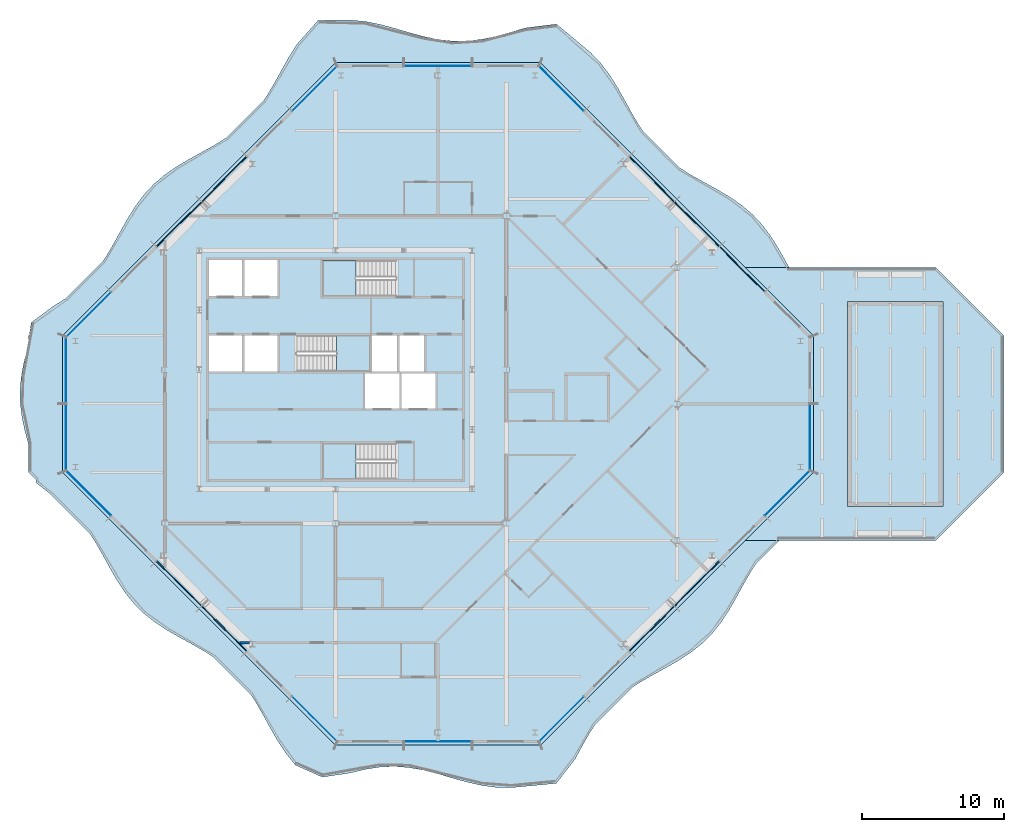
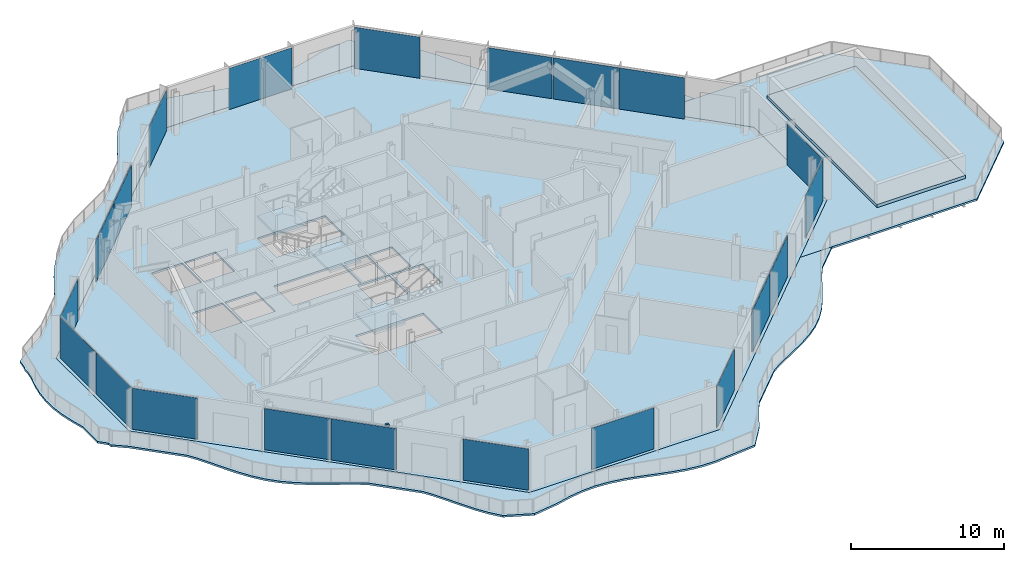
# One storey, part 6 of 16: 21 plates, 7 slabs, 1 wall, 11 elements without a shape of their own.
"""IFC4 building model written with IfcOpenShell, lengths in metres."""

import ifcopenshell
import ifcopenshell.guid

model = None  # the IFC model being written
_history = None  # IfcOwnerHistory: only IFC2X3 demands one
_inside = {}  # id of a spatial element -> (the spatial element, [elements in it])
_under = {}  # id of a project, library or spatial element -> (it, [spatial elements below it])
_declared = {}  # id of a project -> (the project, [libraries it declares])
_typed = {}  # id of a type object -> (the type object, [elements of that type])
_made_of = {}  # id of a material, layer set ... -> (it, [elements and type objects made of it])


def new_model(schema):
    """Start an empty IFC model of exactly this schema.

    Asked for "IFC4X3", IfcOpenShell would pick the latest addendum, in which some entities
    have other attributes; the version numbers below select the first issue.
    IFC2X3 requires an IfcOwnerHistory on every rooted entity: one is made here for all.
    """
    global model, _history
    if schema == "IFC4X3":
        model = ifcopenshell.file(schema_version=(4, 3, 0, 0))
    else:
        model = ifcopenshell.file(schema=schema)
    _inside.clear()
    _under.clear()
    _declared.clear()
    _typed.clear()
    _made_of.clear()
    _history = None
    if model.schema == "IFC2X3":
        org = make("IfcOrganization", Name="unknown")
        user = make(
            "IfcPersonAndOrganization",
            ThePerson=make("IfcPerson", FamilyName="unknown"),
            TheOrganization=org,
        )
        app = make(
            "IfcApplication",
            ApplicationDeveloper=org,
            Version="unknown",
            ApplicationFullName="unknown",
            ApplicationIdentifier="unknown",
        )
        _history = make(
            "IfcOwnerHistory",
            OwningUser=user,
            OwningApplication=app,
            ChangeAction="ADDED",
            CreationDate=0,
        )
    return model


def make(cls, **values):
    """One entity of the class cls with the attributes given. An attribute that is None is left unset."""
    return model.create_entity(
        cls, **{name: value for name, value in values.items() if value is not None}
    )


def rooted(cls, **values):
    """An entity with a GlobalId (a new one), such as an element, a storey or a relation."""
    return make(cls, GlobalId=ifcopenshell.guid.new(), OwnerHistory=_history, **values)


def si_unit(unit_type, name, prefix=None):
    """IfcSIUnit, for example si_unit("LENGTHUNIT", "METRE", prefix="MILLI")."""
    return make("IfcSIUnit", UnitType=unit_type, Prefix=prefix, Name=name)


def assignment(units):
    """IfcUnitAssignment: the units of a project."""
    return None if units is None else make("IfcUnitAssignment", Units=units)


def point(xyz):
    """IfcCartesianPoint."""
    return None if xyz is None else make("IfcCartesianPoint", Coordinates=xyz)


def direction(xyz):
    """IfcDirection."""
    return None if xyz is None else make("IfcDirection", DirectionRatios=xyz)


def frame(location, z_axis=None, x_axis=None):
    """IfcAxis2Placement3D, a coordinate frame: its origin and axes. An axis left out is left unset."""
    return make(
        "IfcAxis2Placement3D",
        Location=point(location),
        Axis=direction(z_axis),
        RefDirection=direction(x_axis),
    )


def frame_2d(location, x_axis=None):
    """IfcAxis2Placement2D, a coordinate frame in the plane: its origin and x axis."""
    return make(
        "IfcAxis2Placement2D", Location=point(location), RefDirection=direction(x_axis)
    )


def origin():
    """The frame at (0, 0, 0) with its axes left unset."""
    return frame((0.0, 0.0, 0.0))


def origin_2d():
    """The frame at (0, 0) in the plane with its x axis left unset."""
    return frame_2d((0.0, 0.0))


def place(relative_to, where):
    """IfcLocalPlacement: puts the frame where relative to a parent placement (None: the world)."""
    return make(
        "IfcLocalPlacement", PlacementRelTo=relative_to, RelativePlacement=where
    )


def context(
    kind, dimensions, precision=None, world=None, true_north=None, identifier=None
):
    """IfcGeometricRepresentationContext, for example the 3D "Model" context."""
    return make(
        "IfcGeometricRepresentationContext",
        ContextIdentifier=identifier,
        ContextType=kind,
        CoordinateSpaceDimension=dimensions,
        Precision=precision,
        WorldCoordinateSystem=world,
        TrueNorth=true_north,
    )


def subcontext(parent, identifier, kind, view, scale=None):
    """IfcGeometricRepresentationSubContext, for example "Body" below "Model"."""
    return make(
        "IfcGeometricRepresentationSubContext",
        ContextIdentifier=identifier,
        ContextType=kind,
        ParentContext=parent,
        TargetScale=scale,
        TargetView=view,
    )


def project(units=None, contexts=None):
    """IfcProject with its units and contexts."""
    return rooted(
        "IfcProject",
        Name="project",
        RepresentationContexts=contexts,
        UnitsInContext=assignment(units),
    )


def spatial(cls, under=None, at=None, **own):
    """A site, building, storey or space (cls), placed at a placement, below another one or the project."""
    s = rooted(cls, ObjectPlacement=at, **own)
    if under is not None:
        _under.setdefault(under.id(), (under, []))[1].append(s)
    return s


def polyline(points):
    """IfcPolyline through the points."""
    return make("IfcPolyline", Points=[point(p) for p in points])


def profile(cls, at=None, kind="AREA", **sizes):
    """A parametric profile (cls). Its sizes go by their IFC names, for example OverallWidth=200.0."""
    return make(cls, ProfileType=kind, Position=at, **sizes)


def rectangle(**sizes):
    """IfcRectangleProfileDef."""
    return profile("IfcRectangleProfileDef", **sizes)


def outline(outer, holes=None, kind="AREA"):
    """IfcArbitraryClosedProfileDef: a profile drawn as a closed curve; with holes, ...WithVoids."""
    if holes is None:
        return make("IfcArbitraryClosedProfileDef", ProfileType=kind, OuterCurve=outer)
    return make(
        "IfcArbitraryProfileDefWithVoids",
        ProfileType=kind,
        OuterCurve=outer,
        InnerCurves=holes,
    )


def extrude(swept, where, along, depth):
    """IfcExtrudedAreaSolid: the profile swept, set in the frame where, extruded along a direction by depth."""
    return make(
        "IfcExtrudedAreaSolid",
        SweptArea=swept,
        Position=where,
        ExtrudedDirection=direction(along),
        Depth=depth,
    )


def shape(context_of_items, identifier, shape_type, items):
    """IfcShapeRepresentation: the items that make up one representation, for example the "Body"."""
    return make(
        "IfcShapeRepresentation",
        ContextOfItems=context_of_items,
        RepresentationIdentifier=identifier,
        RepresentationType=shape_type,
        Items=items,
    )


def material(Name=None, Category=None):
    """IfcMaterial."""
    return make("IfcMaterial", Name=Name, Category=Category)


def layer(
    of_material, thickness, ventilated=None, Name=None, Category=None, Priority=None
):
    """IfcMaterialLayer: one layer of a wall or slab, of a material (None: an air gap)."""
    return make(
        "IfcMaterialLayer",
        Material=of_material,
        LayerThickness=thickness,
        IsVentilated=ventilated,
        Name=Name,
        Category=Category,
        Priority=Priority,
    )


def layer_set(layers, Name=None):
    """IfcMaterialLayerSet."""
    return make("IfcMaterialLayerSet", MaterialLayers=layers, LayerSetName=Name)


def made_of(thing, what):
    """Note that an element or type object is made of a material, layer set ...; save() writes the relation."""
    if what is not None:
        _made_of.setdefault(what.id(), (what, []))[1].append(thing)
    return thing


def type_object(cls, material=None, **own):
    """A type object (cls), such as IfcWallType, which elements share."""
    return made_of(rooted(cls, **own), material)


def element(
    cls,
    number,
    at=None,
    inside=None,
    cuts=None,
    type_object=None,
    material=None,
    context=None,
    identifier="Body",
    shape_type=None,
    held_by="IfcProductDefinitionShape",
    body=None,
    shapes=None,
    **own,
):
    """One element of the class cls, such as IfcWall. Its Tag is "e" and its number.

    at: its placement. inside: the storey or other place that contains it. cuts: it is an
    opening in that element (IfcRelVoidsElement). A single representation is given by context,
    identifier, shape_type and body (its items); several are given by shapes. held_by: the class
    of the entity that holds the representations. save() writes the other relations.
    """
    e = rooted(cls, Tag="e%d" % number, ObjectPlacement=at, **own)
    if body is not None:
        shapes = [shape(context, identifier, shape_type, body)]
    if shapes is not None:
        e.Representation = make(held_by, Representations=shapes)
    if inside is not None:
        _inside.setdefault(inside.id(), (inside, []))[1].append(e)
    if cuts is not None:
        rooted(
            "IfcRelVoidsElement", RelatingBuildingElement=cuts, RelatedOpeningElement=e
        )
    if type_object is not None:
        _typed.setdefault(type_object.id(), (type_object, []))[1].append(e)
    return made_of(e, material)


def aggregate(whole, parts):
    """IfcRelAggregates: a whole, such as a stair, and the parts it consists of."""
    return rooted("IfcRelAggregates", RelatingObject=whole, RelatedObjects=parts)


def save(model, path):
    """Write the relations noted so far, then the file.

    IfcRelAggregates (storeys below a building ...), IfcRelContainedInSpatialStructure (elements
    in a storey), IfcRelDefinesByType, IfcRelAssociatesMaterial and IfcRelDeclares: one each for
    every whole, place, type object, material and project.
    """
    for whole, parts in _under.values():
        aggregate(whole, parts)
    for where, things in _inside.values():
        rooted(
            "IfcRelContainedInSpatialStructure",
            RelatedElements=things,
            RelatingStructure=where,
        )
    for kind, things in _typed.values():
        rooted("IfcRelDefinesByType", RelatedObjects=things, RelatingType=kind)
    for what, things in _made_of.values():
        rooted("IfcRelAssociatesMaterial", RelatedObjects=things, RelatingMaterial=what)
    for by, libraries in _declared.values():
        rooted("IfcRelDeclares", RelatingContext=by, RelatedDefinitions=libraries)
    model.write(path)


model = new_model("IFC4")

# Units and contexts
model_context = context("Model", 3, precision=1e-05, world=origin(), true_north=direction((0.0, 1.0)))
body_context = subcontext(model_context, "Body", "Model", "MODEL_VIEW")
ifc_project = project(units=[si_unit("LENGTHUNIT", "METRE"), si_unit("AREAUNIT", "SQUARE_METRE"), si_unit("VOLUMEUNIT", "CUBIC_METRE"), si_unit("PLANEANGLEUNIT", "RADIAN"), si_unit("MASSUNIT", "GRAM", prefix="KILO")], contexts=[model_context])

# Site, building, storey
site_placement = place(None, origin())
site = spatial("IfcSite", under=ifc_project, at=site_placement, CompositionType="ELEMENT")
building_placement = place(site_placement, origin())
building = spatial("IfcBuilding", under=site, at=building_placement, Name="Cairn Pilgrim Tower", CompositionType="ELEMENT")
storey_placement = place(building_placement, frame((0.0, 0.0, 267.0)))
storey = spatial("IfcBuildingStorey", under=building, at=storey_placement, Name="L68", CompositionType="ELEMENT", Elevation=267.0)

# Slabs
ifc_material_1 = material(Name="Concrete C35/45", Category="concrete")
ifc_layer_1 = layer(ifc_material_1, 0.14990234375)
ifc_layer_set_1 = layer_set([ifc_layer_1], Name="BALCONY SLAB 150 CONCRETE C35/45")
slab_type_1 = type_object("IfcSlabType", Name="BALCONY SLAB 150 CONCRETE C35/45", PredefinedType="FLOOR", material=ifc_layer_set_1)
slab_1_placement = place(storey_placement, frame((0.0, 0.0, -0.14990234375)))
element("IfcSlab", 1, at=slab_1_placement, inside=storey, type_object=slab_type_1, Name="Balcony slab BS-1", PredefinedType="FLOOR", context=body_context, shape_type="SweptSolid", body=[
    extrude(outline(polyline([(24.52783203125, -24.08349609375), (25.044189453125, -23.177490234375), (25.453125, -22.546875), (28.058837890625, -19.941162109375), (28.575927734375, -19.59814453125), (29.4775390625, -19.07763671875), (30.396728515625, -18.574462890625), (31.30126953125, -18.056884765625), (32.16162109375, -17.494873046875), (32.95458984375, -16.865478515625), (33.66748046875, -16.156494140625), (34.30029296875, -15.366943359375), (34.864990234375, -14.509521484375), (35.384033203125, -13.6064453125), (35.88720703125, -12.68701171875), (36.40625, -11.783935546875), (36.772216796875, -11.227783203125), (38.39990234375, -9.60009765625), (36.0, -9.60009765625), (40.800048828125, -4.800048828125), (21.60009765625, -24.0), (7.199951171875, -24.0), (-12.0, -4.800048828125), (-12.0, 4.800048828125), (7.199951171875, 24.0), (21.60009765625, 24.0), (40.800048828125, 4.800048828125), (36.0, 9.60009765625), (39.08447265625, 9.60009765625), (38.873046875, 9.984375), (38.362548828125, 10.89599609375), (37.8154296875, 11.77099609375), (37.206298828125, 12.584228515625), (36.51953125, 13.319580078125), (35.75146484375, 13.9736328125), (34.910888671875, 14.55517578125), (34.017333984375, 15.083984375), (33.099365234375, 15.58837890625), (32.188720703125, 16.099853515625), (31.40966796875, 16.59033203125), (28.790771484375, 19.209228515625), (28.545166015625, 19.5673828125), (28.01806640625, 20.46240234375), (27.51416015625, 21.380859375), (27.00146484375, 22.29052734375), (26.44970703125, 23.160888671875), (25.833984375, 23.967529296875), (25.139892578125, 24.695556640625), (24.36474609375, 25.342529296875), (22.7236328125, 26.712890625), (20.571533203125, 26.44384765625), (19.54296875, 26.1435546875), (18.514404296875, 25.8603515625), (17.485595703125, 25.639892578125), (16.45703125, 25.517578125), (15.428466796875, 25.51318359375), (14.39990234375, 25.62744140625), (13.371337890625, 25.841796875), (12.3427734375, 26.121826171875), (11.314208984375, 26.422607421875), (10.28564453125, 26.695556640625), (9.257080078125, 26.89697265625), (8.228515625, 26.993896484375), (5.96923828125, 26.971435546875), (4.48291015625, 25.294921875), (3.9306640625, 24.4248046875), (3.41796875, 23.515380859375), (2.914306640625, 22.596923828125), (2.38720703125, 21.70166015625), (2.138671875, 21.338623046875), (-0.479736328125, 18.720458984375), (-1.25439453125, 18.232177734375), (-2.1650390625, 17.720458984375), (-3.0830078125, 17.21630859375), (-3.9765625, 16.687744140625), (-4.817626953125, 16.1064453125), (-5.586181640625, 15.452880859375), (-6.2734375, 14.7177734375), (-6.8828125, 13.905029296875), (-7.430419921875, 13.0302734375), (-7.94091796875, 12.11865234375), (-8.445556640625, 11.201171875), (-8.97607421875, 10.309326171875), (-9.172119140625, 10.02783203125), (-11.802734375, 7.3974609375), (-12.64892578125, 6.871337890625), (-14.20849609375, 5.71484375), (-14.334716796875, 4.865478515625), (-14.39990234375, 4.800048828125), (-14.39990234375, 4.425537109375), (-14.487060546875, 3.840087890625), (-14.732177734375, 2.8798828125), (-14.909912109375, 1.919921875), (-14.994873046875, 0.9599609375), (-14.97509765625, 0.0), (-14.853515625, -0.9599609375), (-14.647216796875, -1.919921875), (-14.39990234375, -2.825439453125), (-14.39990234375, -4.800048828125), (-13.88037109375, -5.319580078125), (-13.843505859375, -5.563720703125), (-12.87255859375, -6.327392578125), (-10.10205078125, -9.097900390625), (-9.738525390625, -9.649658203125), (-9.219482421875, -10.552734375), (-8.71630859375, -11.471923828125), (-8.197509765625, -12.375244140625), (-7.633056640625, -13.233154296875), (-7.000732421875, -14.02294921875), (-6.2880859375, -14.732421875), (-5.49560546875, -15.362060546875), (-4.635498046875, -15.924560546875), (-3.731201171875, -16.442138671875), (-2.81201171875, -16.9453125), (-1.91015625, -17.465576171875), (-1.388671875, -17.8115234375), (1.217041015625, -20.4169921875), (1.623291015625, -21.043212890625), (2.139892578125, -21.948974609375), (2.64306640625, -22.8681640625), (3.164794921875, -23.7685546875), (3.734619140625, -24.62109375), (4.3740234375, -25.40380859375), (6.26806640625, -26.25), (8.228515625, -25.955322265625), (9.257080078125, -25.7080078125), (10.28564453125, -25.5478515625), (11.314208984375, -25.500732421875), (12.3427734375, -25.57421875), (13.371337890625, -25.756591796875), (14.39990234375, -26.018310546875), (15.428466796875, -26.317138671875), (16.45703125, -26.60546875), (17.485595703125, -26.83642578125), (18.514404296875, -26.972900390625), (19.54296875, -26.9931640625), (20.571533203125, -26.893798828125), (22.714599609375, -26.69091796875), (24.024658203125, -25.00244140625), (24.52783203125, -24.08349609375)])), origin(), (0.0, 0.0, 1.0), 0.14990234375),
])
ifc_layer_2 = layer(ifc_material_1, 0.14990234375)
ifc_layer_set_2 = layer_set([ifc_layer_2], Name="COMPOSITE FLOOR SLAB 150")
slab_type_2 = type_object("IfcSlabType", Name="COMPOSITE FLOOR SLAB 150", PredefinedType="FLOOR", material=ifc_layer_set_2)
slab_2_placement = place(storey_placement, frame((0.0, 0.0, -0.14990234375)))
element("IfcSlab", 2, at=slab_2_placement, inside=storey, type_object=slab_type_2, Name="FLOOR SLAB L68", PredefinedType="FLOOR", context=body_context, shape_type="SweptSolid", body=[
    extrude(outline(polyline([(7.199951171875, -24.0), (21.60009765625, -24.0), (40.800048828125, -4.800048828125), (40.800048828125, 4.800048828125), (21.60009765625, 24.0), (7.199951171875, 24.0), (-12.0, 4.800048828125), (-12.0, -4.800048828125), (7.199951171875, -24.0)]), holes=[polyline([(9.27490234375, -0.324951171875), (11.675048828125, -0.324951171875), (11.675048828125, 2.125), (9.27490234375, 2.125), (9.27490234375, -0.324951171875)]), polyline([(11.824951171875, -0.324951171875), (14.22509765625, -0.324951171875), (14.22509765625, 2.125), (11.824951171875, 2.125), (11.824951171875, -0.324951171875)]), polyline([(-1.72509765625, 2.27490234375), (0.625, 2.27490234375), (0.625, 4.824951171875), (-1.72509765625, 4.824951171875), (-1.72509765625, 2.27490234375)]), polyline([(0.77490234375, 2.27490234375), (3.125, 2.27490234375), (3.125, 4.824951171875), (0.77490234375, 4.824951171875), (0.77490234375, 2.27490234375)]), polyline([(-1.72509765625, 7.574951171875), (0.625, 7.574951171875), (0.625, 10.10009765625), (-1.72509765625, 10.10009765625), (-1.72509765625, 7.574951171875)]), polyline([(0.77490234375, 7.574951171875), (3.125, 7.574951171875), (3.125, 10.10009765625), (0.77490234375, 10.10009765625), (0.77490234375, 7.574951171875)]), polyline([(9.77490234375, 2.27490234375), (11.52490234375, 2.27490234375), (11.52490234375, 4.824951171875), (9.77490234375, 4.824951171875), (9.77490234375, 2.27490234375)]), polyline([(11.675048828125, 2.27490234375), (13.425048828125, 2.27490234375), (13.425048828125, 4.824951171875), (11.675048828125, 4.824951171875), (11.675048828125, 2.27490234375)]), polyline([(11.424560546875, -2.77490234375), (6.27490234375, -2.77490234375), (6.27490234375, -5.300048828125), (11.424560546875, -5.300048828125), (11.424560546875, -2.77490234375)]), polyline([(4.4755859375, 2.27490234375), (9.625, 2.27490234375), (9.625, 4.824951171875), (4.4755859375, 4.824951171875), (4.4755859375, 2.27490234375)]), polyline([(11.424560546875, 10.10009765625), (6.27490234375, 10.10009765625), (6.27490234375, 7.574951171875), (11.424560546875, 7.574951171875), (11.424560546875, 10.10009765625)])]), origin(), (0.0, 0.0, 1.0), 0.14990234375),
])
ifc_layer_3 = layer(ifc_material_1, 0.25)
ifc_layer_set_3 = layer_set([ifc_layer_3], Name="SKY POOL BASE SLAB 250 CONCRETE C35/45")
slab_type_3 = type_object("IfcSlabType", Name="SKY POOL BASE SLAB 250 CONCRETE C35/45", PredefinedType="FLOOR", material=ifc_layer_set_3)
slab_3_placement = place(storey_placement, origin())
element("IfcSlab", 3, at=slab_3_placement, inside=storey, type_object=slab_type_3, Name="Sky pool base slab", PredefinedType="FLOOR", context=body_context, shape_type="SweptSolid", body=[
    extrude(outline(polyline([(43.199951171875, -7.199951171875), (49.89990234375, -7.199951171875), (49.89990234375, 7.199951171875), (43.199951171875, 7.199951171875), (43.199951171875, -7.199951171875)])), origin(), (0.0, 0.0, 1.0), 0.25),
])
ifc_layer_4 = layer(ifc_material_1, 0.14990234375)
ifc_layer_set_4 = layer_set([ifc_layer_4], Name="SKY POOL DECK SLAB 150 CONCRETE C35/45")
slab_type_4 = type_object("IfcSlabType", Name="SKY POOL DECK SLAB 150 CONCRETE C35/45", PredefinedType="FLOOR", material=ifc_layer_set_4)
slab_4_placement = place(storey_placement, frame((0.0, 0.0, -0.14990234375)))
element("IfcSlab", 4, at=slab_4_placement, inside=storey, type_object=slab_type_4, Name="Sky pool terrace deck", PredefinedType="FLOOR", context=body_context, shape_type="SweptSolid", body=[
    extrude(outline(polyline([(49.39990234375, 9.60009765625), (36.0, 9.60009765625), (40.800048828125, 4.800048828125), (40.800048828125, -4.800048828125), (36.0, -9.60009765625), (49.39990234375, -9.60009765625), (54.199951171875, -4.800048828125), (54.199951171875, 4.800048828125), (49.39990234375, 9.60009765625)])), origin(), (0.0, 0.0, 1.0), 0.14990234375),
])

# Curtain wall, plates
ifc_material_2 = material(Name="Aluminium alloy 6063-T6 bronze anodised with Bronze tinted laminated low-E glass 8+16+8.8", Category="aluminium")
curtain_wall_type = type_object("IfcCurtainWallType", Name="CROWN CURTAIN WALL", PredefinedType="NOTDEFINED", material=ifc_material_2)
curtain_wall_1_placement = place(storey_placement, origin())
curtain_wall_1 = element("IfcCurtainWall", 5, at=curtain_wall_1_placement, inside=storey, type_object=curtain_wall_type, Name="Crown Curtain Wall SE", PredefinedType="NOTDEFINED")
ifc_material_3 = material(Name="Bronze anodised aluminium spandrel panel with mineral wool insulation", Category="aluminium")
ifc_layer_5 = layer(ifc_material_3, 0.06005859375)
ifc_layer_set_5 = layer_set([ifc_layer_5], Name="SPANDREL PANEL 4431x3300")
plate_type_1 = type_object("IfcPlateType", Name="SPANDREL PANEL 4431x3300", PredefinedType="CURTAIN_PANEL", material=ifc_layer_set_5)
plate_1_placement = place(storey_placement, frame((29.435546875, -15.81103515625, 0.0), z_axis=(0.0, 0.0, 1.0), x_axis=(0.707106781187, 0.707106781187, 0.0)))
plate_1 = element("IfcPlate", 6, at=plate_1_placement, type_object=plate_type_1, Name="Spandrel Panel SE3-1", PredefinedType="CURTAIN_PANEL", context=body_context, shape_type="SweptSolid", body=[
    extrude(rectangle(XDim=4.430908203125, YDim=0.06005859375, at=origin_2d()), origin(), (0.0, 0.0, 1.0), 3.300048828125),
])
plate_2_placement = place(storey_placement, frame((32.611083984375, -12.635498046875, 0.0), z_axis=(0.0, 0.0, 1.0), x_axis=(0.707106781187, 0.707106781187, 0.0)))
plate_2 = element("IfcPlate", 7, at=plate_2_placement, type_object=plate_type_1, Name="Spandrel Panel SE4-1", PredefinedType="CURTAIN_PANEL", context=body_context, shape_type="SweptSolid", body=[
    extrude(rectangle(XDim=4.430908203125, YDim=0.06005859375, at=origin_2d()), origin(), (0.0, 0.0, 1.0), 3.300048828125),
])

curtain_wall_2_placement = place(storey_placement, origin())
curtain_wall_2 = element("IfcCurtainWall", 8, at=curtain_wall_2_placement, inside=storey, type_object=curtain_wall_type, Name="Crown Curtain Wall NE", PredefinedType="NOTDEFINED")
plate_3_placement = place(storey_placement, frame((35.78662109375, 9.459716796875, 0.0), z_axis=(0.0, 0.0, 1.0), x_axis=(-0.707106781187, 0.707106781187, 0.0)))
plate_3 = element("IfcPlate", 9, at=plate_3_placement, type_object=plate_type_1, Name="Spandrel Panel NE2-1", PredefinedType="CURTAIN_PANEL", context=body_context, shape_type="SweptSolid", body=[
    extrude(rectangle(XDim=4.430908203125, YDim=0.06005859375, at=origin_2d()), origin(), (0.0, 0.0, 1.0), 3.300048828125),
])
plate_4_placement = place(storey_placement, frame((32.611083984375, 12.635498046875, 0.0), z_axis=(0.0, 0.0, 1.0), x_axis=(-0.707106781187, 0.707106781187, 0.0)))
plate_4 = element("IfcPlate", 10, at=plate_4_placement, type_object=plate_type_1, Name="Spandrel Panel NE3-1", PredefinedType="CURTAIN_PANEL", context=body_context, shape_type="SweptSolid", body=[
    extrude(rectangle(XDim=4.430908203125, YDim=0.06005859375, at=origin_2d()), origin(), (0.0, 0.0, 1.0), 3.300048828125),
])
plate_5_placement = place(storey_placement, frame((29.435546875, 15.81103515625, 0.0), z_axis=(0.0, 0.0, 1.0), x_axis=(-0.707106781187, 0.707106781187, 0.0)))
plate_5 = element("IfcPlate", 11, at=plate_5_placement, type_object=plate_type_1, Name="Spandrel Panel NE4-1", PredefinedType="CURTAIN_PANEL", context=body_context, shape_type="SweptSolid", body=[
    extrude(rectangle(XDim=4.430908203125, YDim=0.06005859375, at=origin_2d()), origin(), (0.0, 0.0, 1.0), 3.300048828125),
])

curtain_wall_3_placement = place(storey_placement, origin())
curtain_wall_3 = element("IfcCurtainWall", 12, at=curtain_wall_3_placement, inside=storey, type_object=curtain_wall_type, Name="Crown Curtain Wall NW", PredefinedType="NOTDEFINED")
plate_6_placement = place(storey_placement, frame((-0.635498046875, 15.81103515625, 0.0), z_axis=(0.0, 0.0, 1.0), x_axis=(-0.707106781187, -0.707106781187, 0.0)))
plate_6 = element("IfcPlate", 13, at=plate_6_placement, type_object=plate_type_1, Name="Spandrel Panel NW3-1", PredefinedType="CURTAIN_PANEL", context=body_context, shape_type="SweptSolid", body=[
    extrude(rectangle(XDim=4.430908203125, YDim=0.06005859375, at=origin_2d()), origin(), (0.0, 0.0, 1.0), 3.300048828125),
])
plate_7_placement = place(storey_placement, frame((-3.81103515625, 12.635498046875, 0.0), z_axis=(0.0, 0.0, 1.0), x_axis=(-0.707106781187, -0.707106781187, 0.0)))
plate_7 = element("IfcPlate", 14, at=plate_7_placement, type_object=plate_type_1, Name="Spandrel Panel NW4-1", PredefinedType="CURTAIN_PANEL", context=body_context, shape_type="SweptSolid", body=[
    extrude(rectangle(XDim=4.430908203125, YDim=0.06005859375, at=origin_2d()), origin(), (0.0, 0.0, 1.0), 3.300048828125),
])

curtain_wall_4_placement = place(storey_placement, origin())
curtain_wall_4 = element("IfcCurtainWall", 15, at=curtain_wall_4_placement, inside=storey, type_object=curtain_wall_type, Name="Crown Curtain Wall SW", PredefinedType="NOTDEFINED")
plate_8_placement = place(storey_placement, frame((-3.81103515625, -12.635498046875, 0.0), z_axis=(0.0, 0.0, 1.0), x_axis=(0.707106781187, -0.707106781187, 0.0)))
plate_8 = element("IfcPlate", 16, at=plate_8_placement, type_object=plate_type_1, Name="Spandrel Panel SW3-1", PredefinedType="CURTAIN_PANEL", context=body_context, shape_type="SweptSolid", body=[
    extrude(rectangle(XDim=4.430908203125, YDim=0.06005859375, at=origin_2d()), origin(), (0.0, 0.0, 1.0), 3.300048828125),
])
plate_9_placement = place(storey_placement, frame((-0.635498046875, -15.81103515625, 0.0), z_axis=(0.0, 0.0, 1.0), x_axis=(0.707106781187, -0.707106781187, 0.0)))
plate_9 = element("IfcPlate", 17, at=plate_9_placement, type_object=plate_type_1, Name="Spandrel Panel SW4-1", PredefinedType="CURTAIN_PANEL", context=body_context, shape_type="SweptSolid", body=[
    extrude(rectangle(XDim=4.430908203125, YDim=0.06005859375, at=origin_2d()), origin(), (0.0, 0.0, 1.0), 3.300048828125),
])

# Stair, slab
ifc_material_4 = material(Name="Concrete C32/40", Category="concrete")
stair_type = type_object("IfcStairType", Name="EXIT STAIR 1200", PredefinedType="HALF_TURN_STAIR", material=ifc_material_4)
stair_1_placement = place(storey_placement, origin())
stair_1 = element("IfcStair", 18, at=stair_1_placement, inside=storey, type_object=stair_type, Name="L68 Exit Stair A", PredefinedType="HALF_TURN_STAIR")
ifc_layer_6 = layer(ifc_material_4, 0.199951171875)
ifc_layer_set_6 = layer_set([ifc_layer_6], Name="STAIR LANDING 200")
slab_type_5 = type_object("IfcSlabType", Name="STAIR LANDING 200", PredefinedType="LANDING", material=ifc_layer_set_6)
slab_5_placement = place(storey_placement, frame((0.0, 0.0, 1.60009765625)))
slab_5 = element("IfcSlab", 19, at=slab_5_placement, type_object=slab_type_5, Name="ST-A landing 1", PredefinedType="LANDING", context=body_context, shape_type="SweptSolid", body=[
    extrude(outline(polyline([(8.625, -2.77490234375), (6.27490234375, -2.77490234375), (6.27490234375, -5.300048828125), (8.625, -5.300048828125), (8.625, -2.77490234375)])), origin(), (0.0, 0.0, 1.0), 0.199951171875),
])
aggregate(stair_1, [slab_5])

stair_2_placement = place(storey_placement, origin())
stair_2 = element("IfcStair", 20, at=stair_2_placement, inside=storey, type_object=stair_type, Name="L68 Exit Stair B", PredefinedType="HALF_TURN_STAIR")
slab_6_placement = place(storey_placement, frame((0.0, 0.0, 1.60009765625)))
slab_6 = element("IfcSlab", 21, at=slab_6_placement, type_object=slab_type_5, Name="ST-B landing 1", PredefinedType="LANDING", context=body_context, shape_type="SweptSolid", body=[
    extrude(outline(polyline([(7.27490234375, 2.27490234375), (9.625, 2.27490234375), (9.625, 4.824951171875), (7.27490234375, 4.824951171875), (7.27490234375, 2.27490234375)])), origin(), (0.0, 0.0, 1.0), 0.199951171875),
])
aggregate(stair_2, [slab_6])

stair_3_placement = place(storey_placement, origin())
stair_3 = element("IfcStair", 22, at=stair_3_placement, inside=storey, type_object=stair_type, Name="L68 Exit Stair C", PredefinedType="HALF_TURN_STAIR")
slab_7_placement = place(storey_placement, frame((0.0, 0.0, 1.60009765625)))
slab_7 = element("IfcSlab", 23, at=slab_7_placement, type_object=slab_type_5, Name="ST-C landing 1", PredefinedType="LANDING", context=body_context, shape_type="SweptSolid", body=[
    extrude(outline(polyline([(8.625, 10.10009765625), (6.27490234375, 10.10009765625), (6.27490234375, 7.574951171875), (8.625, 7.574951171875), (8.625, 10.10009765625)])), origin(), (0.0, 0.0, 1.0), 0.199951171875),
])
aggregate(stair_3, [slab_7])

# Plate
ifc_material_5 = material(Name="Bronze tinted laminated low-E glass 8+16+8.8", Category="glass")
ifc_layer_7 = layer(ifc_material_5, 0.033935546875)
ifc_layer_set_7 = layer_set([ifc_layer_7], Name="VISION GLAZING 4421x3300")
plate_type_2 = type_object("IfcPlateType", Name="VISION GLAZING 4421x3300", PredefinedType="CURTAIN_PANEL", material=ifc_layer_set_7)
plate_10_placement = place(storey_placement, frame((23.087890625, -22.15869140625, 0.0), z_axis=(0.0, 0.0, 1.0), x_axis=(0.707106781187, 0.707106781187, 0.0)))
plate_10 = element("IfcPlate", 24, at=plate_10_placement, type_object=plate_type_2, Name="Vision Glazing SE1-1", PredefinedType="CURTAIN_PANEL", context=body_context, shape_type="SweptSolid", body=[
    extrude(rectangle(XDim=4.4208984375, YDim=0.033935546875, at=origin_2d()), origin(), (0.0, 0.0, 1.0), 3.300048828125),
])

plate_11_placement = place(storey_placement, frame((38.958740234375, -6.287841796875, 0.0), z_axis=(0.0, 0.0, 1.0), x_axis=(0.707106781187, 0.707106781187, 0.0)))
plate_11 = element("IfcPlate", 25, at=plate_11_placement, type_object=plate_type_2, Name="Vision Glazing SE6-1", PredefinedType="CURTAIN_PANEL", context=body_context, shape_type="SweptSolid", body=[
    extrude(rectangle(XDim=4.4208984375, YDim=0.033935546875, at=origin_2d()), origin(), (0.0, 0.0, 1.0), 3.300048828125),
])

aggregate(curtain_wall_1, [plate_10, plate_1, plate_2, plate_11])

plate_12_placement = place(storey_placement, frame((23.087890625, 22.15869140625, 0.0), z_axis=(0.0, 0.0, 1.0), x_axis=(-0.707106781187, 0.707106781187, 0.0)))
plate_12 = element("IfcPlate", 26, at=plate_12_placement, type_object=plate_type_2, Name="Vision Glazing NE6-1", PredefinedType="CURTAIN_PANEL", context=body_context, shape_type="SweptSolid", body=[
    extrude(rectangle(XDim=4.4208984375, YDim=0.033935546875, at=origin_2d()), origin(), (0.0, 0.0, 1.0), 3.300048828125),
])

aggregate(curtain_wall_2, [plate_3, plate_4, plate_5, plate_12])

plate_13_placement = place(storey_placement, frame((5.712158203125, 22.15869140625, 0.0), z_axis=(0.0, 0.0, 1.0), x_axis=(-0.707106781187, -0.707106781187, 0.0)))
plate_13 = element("IfcPlate", 27, at=plate_13_placement, type_object=plate_type_2, Name="Vision Glazing NW1-1", PredefinedType="CURTAIN_PANEL", context=body_context, shape_type="SweptSolid", body=[
    extrude(rectangle(XDim=4.4208984375, YDim=0.033935546875, at=origin_2d()), origin(), (0.0, 0.0, 1.0), 3.300048828125),
])

plate_14_placement = place(storey_placement, frame((-10.15869140625, 6.287841796875, 0.0), z_axis=(0.0, 0.0, 1.0), x_axis=(-0.707106781187, -0.707106781187, 0.0)))
plate_14 = element("IfcPlate", 28, at=plate_14_placement, type_object=plate_type_2, Name="Vision Glazing NW6-1", PredefinedType="CURTAIN_PANEL", context=body_context, shape_type="SweptSolid", body=[
    extrude(rectangle(XDim=4.4208984375, YDim=0.033935546875, at=origin_2d()), origin(), (0.0, 0.0, 1.0), 3.300048828125),
])

aggregate(curtain_wall_3, [plate_13, plate_6, plate_7, plate_14])

plate_15_placement = place(storey_placement, frame((-10.15869140625, -6.287841796875, 0.0), z_axis=(0.0, 0.0, 1.0), x_axis=(0.707106781187, -0.707106781187, 0.0)))
plate_15 = element("IfcPlate", 29, at=plate_15_placement, type_object=plate_type_2, Name="Vision Glazing SW1-1", PredefinedType="CURTAIN_PANEL", context=body_context, shape_type="SweptSolid", body=[
    extrude(rectangle(XDim=4.4208984375, YDim=0.033935546875, at=origin_2d()), origin(), (0.0, 0.0, 1.0), 3.300048828125),
])

plate_16_placement = place(storey_placement, frame((5.712158203125, -22.15869140625, 0.0), z_axis=(0.0, 0.0, 1.0), x_axis=(0.707106781187, -0.707106781187, 0.0)))
plate_16 = element("IfcPlate", 30, at=plate_16_placement, type_object=plate_type_2, Name="Vision Glazing SW6-1", PredefinedType="CURTAIN_PANEL", context=body_context, shape_type="SweptSolid", body=[
    extrude(rectangle(XDim=4.4208984375, YDim=0.033935546875, at=origin_2d()), origin(), (0.0, 0.0, 1.0), 3.300048828125),
])

aggregate(curtain_wall_4, [plate_15, plate_8, plate_9, plate_16])

# Curtain wall, plate
curtain_wall_5_placement = place(storey_placement, origin())
curtain_wall_5 = element("IfcCurtainWall", 31, at=curtain_wall_5_placement, inside=storey, type_object=curtain_wall_type, Name="Crown Curtain Wall E", PredefinedType="NOTDEFINED")
ifc_layer_8 = layer(ifc_material_5, 0.033935546875)
ifc_layer_set_8 = layer_set([ifc_layer_8], Name="VISION GLAZING 4626x3300")
plate_type_3 = type_object("IfcPlateType", Name="VISION GLAZING 4626x3300", PredefinedType="CURTAIN_PANEL", material=ifc_layer_set_8)
plate_17_placement = place(storey_placement, frame((40.550048828125, -2.34326171875, 0.0), z_axis=(0.0, 0.0, 1.0), x_axis=(0.0, 1.0, 0.0)))
plate_17 = element("IfcPlate", 32, at=plate_17_placement, type_object=plate_type_3, Name="Vision Glazing E1-1", PredefinedType="CURTAIN_PANEL", context=body_context, shape_type="SweptSolid", body=[
    extrude(rectangle(XDim=4.62646484375, YDim=0.033935546875, at=origin_2d()), origin(), (0.0, 0.0, 1.0), 3.300048828125),
])
aggregate(curtain_wall_5, [plate_17])

# Curtain wall, plates
curtain_wall_6_placement = place(storey_placement, origin())
curtain_wall_6 = element("IfcCurtainWall", 33, at=curtain_wall_6_placement, inside=storey, type_object=curtain_wall_type, Name="Crown Curtain Wall W", PredefinedType="NOTDEFINED")
plate_18_placement = place(storey_placement, frame((-11.75, 2.34326171875, 0.0), z_axis=(0.0, 0.0, 1.0), x_axis=(0.0, -1.0, 0.0)))
plate_18 = element("IfcPlate", 34, at=plate_18_placement, type_object=plate_type_3, Name="Vision Glazing W1-1", PredefinedType="CURTAIN_PANEL", context=body_context, shape_type="SweptSolid", body=[
    extrude(rectangle(XDim=4.62646484375, YDim=0.033935546875, at=origin_2d()), origin(), (0.0, 0.0, 1.0), 3.300048828125),
])
plate_19_placement = place(storey_placement, frame((-11.75, -2.34326171875, 0.0), z_axis=(0.0, 0.0, 1.0), x_axis=(0.0, -1.0, 0.0)))
plate_19 = element("IfcPlate", 35, at=plate_19_placement, type_object=plate_type_3, Name="Vision Glazing W2-1", PredefinedType="CURTAIN_PANEL", context=body_context, shape_type="SweptSolid", body=[
    extrude(rectangle(XDim=4.62646484375, YDim=0.033935546875, at=origin_2d()), origin(), (0.0, 0.0, 1.0), 3.300048828125),
])
aggregate(curtain_wall_6, [plate_18, plate_19])

# Curtain wall, plate
curtain_wall_7_placement = place(storey_placement, origin())
curtain_wall_7 = element("IfcCurtainWall", 36, at=curtain_wall_7_placement, inside=storey, type_object=curtain_wall_type, Name="Crown Curtain Wall S", PredefinedType="NOTDEFINED")
ifc_layer_9 = layer(ifc_material_5, 0.033935546875)
ifc_layer_set_9 = layer_set([ifc_layer_9], Name="VISION GLAZING 4740x3300")
plate_type_4 = type_object("IfcPlateType", Name="VISION GLAZING 4740x3300", PredefinedType="CURTAIN_PANEL", material=ifc_layer_set_9)
plate_20_placement = place(storey_placement, frame((14.39990234375, -23.75, 0.0), z_axis=(0.0, 0.0, 1.0), x_axis=(1.0, 0.0, 0.0)))
plate_20 = element("IfcPlate", 37, at=plate_20_placement, type_object=plate_type_4, Name="Vision Glazing S2-1", PredefinedType="CURTAIN_PANEL", context=body_context, shape_type="SweptSolid", body=[
    extrude(rectangle(XDim=4.739990234375, YDim=0.033935546875, at=origin_2d()), origin(), (0.0, 0.0, 1.0), 3.300048828125),
])
aggregate(curtain_wall_7, [plate_20])

curtain_wall_8_placement = place(storey_placement, origin())
curtain_wall_8 = element("IfcCurtainWall", 38, at=curtain_wall_8_placement, inside=storey, type_object=curtain_wall_type, Name="Crown Curtain Wall N", PredefinedType="NOTDEFINED")
plate_21_placement = place(storey_placement, frame((14.39990234375, 23.75, 0.0), z_axis=(0.0, 0.0, 1.0), x_axis=(-1.0, 0.0, 0.0)))
plate_21 = element("IfcPlate", 39, at=plate_21_placement, type_object=plate_type_4, Name="Vision Glazing N2-1", PredefinedType="CURTAIN_PANEL", context=body_context, shape_type="SweptSolid", body=[
    extrude(rectangle(XDim=4.739990234375, YDim=0.033935546875, at=origin_2d()), origin(), (0.0, 0.0, 1.0), 3.300048828125),
])
aggregate(curtain_wall_8, [plate_21])

# Wall
ifc_material_6 = material(Name="Gypsum partition")
ifc_layer_10 = layer(ifc_material_6, 0.14990234375)
ifc_layer_set_10 = layer_set([ifc_layer_10], Name="PARTITION 150 DRYWALL EI 60")
wall_type = type_object("IfcWallType", Name="PARTITION 150 DRYWALL EI 60", PredefinedType="PARTITIONING", material=ifc_layer_set_10)
wall_placement = place(storey_placement, frame((0.473876953125, -16.800048828125, 0.0), z_axis=(0.0, 0.0, 1.0), x_axis=(1.0, 0.0, 0.0)))
element("IfcWall", 40, at=wall_placement, inside=storey, type_object=wall_type, Name="PARTITION W007", PredefinedType="PARTITIONING", context=body_context, shape_type="SweptSolid", body=[
    extrude(outline(polyline([(0.0, 0.0), (0.675048828125, 0.0), (0.675048828125, 2.6298828125), (0.22900390625, 2.6298828125), (0.226806640625, 3.449951171875), (0.0, 3.449951171875), (0.0, 0.0)])), frame((0.0, 0.074951171875, 0.0), z_axis=(0.0, -1.0, 0.0), x_axis=(1.0, 0.0, 0.0)), (0.0, 0.0, 1.0), 0.14990234375),
])

save(model, "model.ifc")
